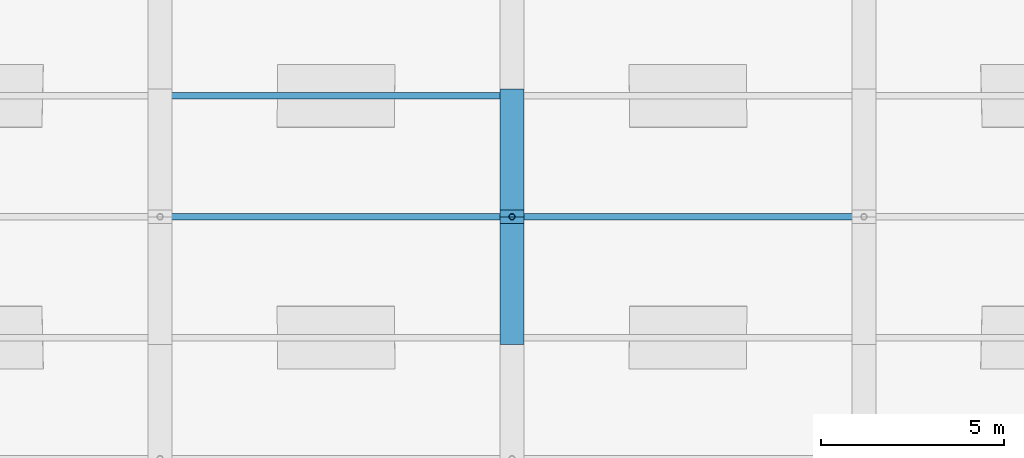
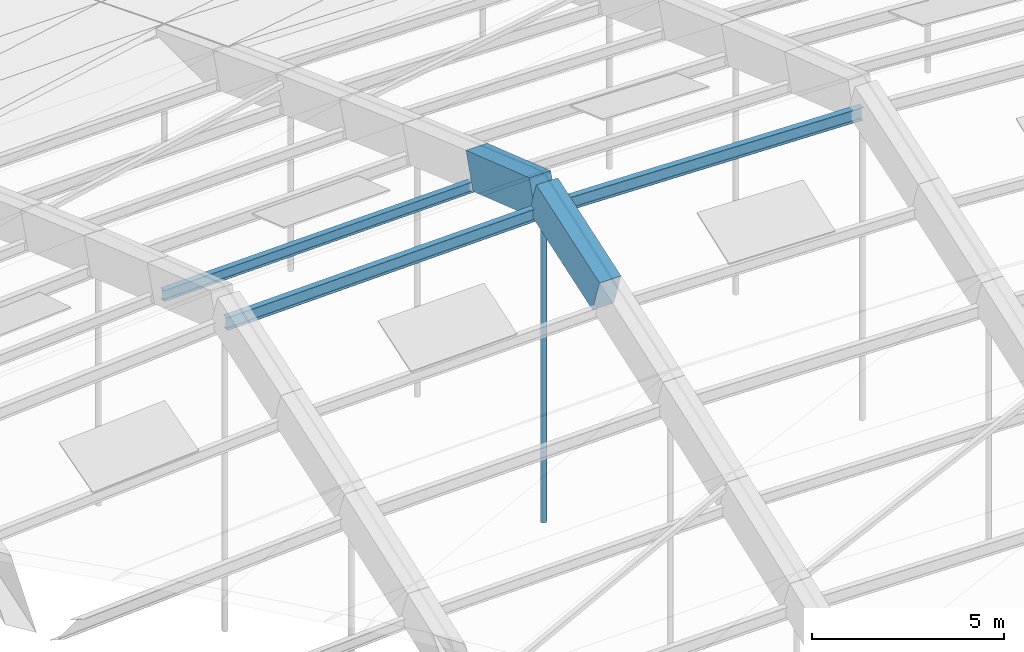
# One storey, part 15 of 43: 4 members, 2 beams.
"""IFC4 building model written with IfcOpenShell, lengths in metres."""

from ifc_helpers import new_model, si_unit, direction, frame, origin, origin_2d, place, context, subcontext, project, spatial, rectangle, hollow_circle, i_section, extrude, material, material_profile, profile_set, type_object, element, save


model = new_model("IFC4")

# Units and contexts
model_context = context("Model", 3, precision=1e-05, world=origin(), true_north=direction((0.0, 1.0)))
body_context = subcontext(model_context, "Body", "Model", "MODEL_VIEW")
ifc_project = project(units=[si_unit("LENGTHUNIT", "METRE"), si_unit("AREAUNIT", "SQUARE_METRE"), si_unit("VOLUMEUNIT", "CUBIC_METRE"), si_unit("PLANEANGLEUNIT", "RADIAN"), si_unit("MASSUNIT", "GRAM", prefix="KILO")], contexts=[model_context])

# Site, building, storey
site_placement = place(None, origin())
site = spatial("IfcSite", under=ifc_project, at=site_placement, CompositionType="ELEMENT")
building_placement = place(site_placement, origin())
building = spatial("IfcBuilding", under=site, at=building_placement, Name="Chalmorin Arch Market", CompositionType="ELEMENT")
storey_placement = place(building_placement, frame((0.0, 0.0, 18.60009765625)))
storey = spatial("IfcBuildingStorey", under=building, at=storey_placement, Name="RF", CompositionType="ELEMENT", Elevation=18.60009765625)

# Member
ifc_material_1 = material(Name="Steel A500 Grade C", Category="steel")
ifc_material_profile_1 = material_profile(ifc_material_1, hollow_circle(Radius=0.084228515625, WallThickness=0.007080078125, at=origin_2d()), Name="CHS168X7")
ifc_profile_set_1 = profile_set([ifc_material_profile_1], Name="Steel A500 Grade C")
member_type_1 = type_object("IfcMemberType", Name="ArchHangerTie-CHS168", PredefinedType="CHORD", material=ifc_profile_set_1)
member_1_placement = place(storey_placement, frame((86.39990234375, 32.39990234375, -2.4501953125), z_axis=(0.0, 0.0, 1.0), x_axis=(1.0, 0.0, 0.0)))
element("IfcMember", 1, at=member_1_placement, inside=storey, type_object=member_type_1, Name="HT-CH168-0159", PredefinedType="CHORD", context=body_context, shape_type="SweptSolid", body=[
    extrude(hollow_circle(Radius=0.084228515625, WallThickness=0.007080078125, at=origin_2d()), origin(), (0.0, 0.0, 1.0), 10.400146484375),
])

# Beams
ifc_material_2 = material(Name="Concrete C50/60", Category="concrete")
ifc_material_profile_2 = material_profile(ifc_material_2, rectangle(XDim=0.64990234375, YDim=1.14990234375, at=origin_2d()), Name="RC650X1150")
ifc_profile_set_2 = profile_set([ifc_material_profile_2], Name="Concrete C50/60")
beam_type = type_object("IfcBeamType", Name="ArchRibChord-650x1150", PredefinedType="BEAM", material=ifc_profile_set_2)
beam_1_placement = place(storey_placement, frame((86.39990234375, 29.10009765625, 6.826416015625), z_axis=(0.0, 0.946632629615, 0.322314542874), x_axis=(-1.0, 0.0, 0.0)))
element("IfcBeam", 2, at=beam_1_placement, inside=storey, type_object=beam_type, Name="AR-01-1668", PredefinedType="BEAM", context=body_context, shape_type="SweptSolid", body=[
    extrude(rectangle(XDim=0.64990234375, YDim=1.14990234375, at=origin_2d()), origin(), (0.0, 0.0, 1.0), 3.48583984375),
])
beam_2_placement = place(storey_placement, frame((86.39990234375, 32.39990234375, 7.949951171875), z_axis=(0.0, 0.946639904898, -0.322293174694), x_axis=(-1.0, 0.0, 0.0)))
element("IfcBeam", 3, at=beam_2_placement, inside=storey, type_object=beam_type, Name="AR-01-1669", PredefinedType="BEAM", context=body_context, shape_type="SweptSolid", body=[
    extrude(rectangle(XDim=0.64990234375, YDim=1.14990234375, at=origin_2d()), origin(), (0.0, 0.0, 1.0), 3.486083984375),
])

# Members
ifc_material_3 = material(Name="Steel A992 Grade 50", Category="steel")
ifc_material_profile_3 = material_profile(ifc_material_3, i_section(OverallWidth=0.1708984375, OverallDepth=0.35107421875, WebThickness=0.0068359375, FlangeThickness=0.009765625, FilletRadius=0.014892578125, at=origin_2d()), Name="W14X30")
ifc_profile_set_3 = profile_set([ifc_material_profile_3], Name="Steel A992 Grade 50")
member_type_2 = type_object("IfcMemberType", Name="RoofSteelPurlin-W14X30", PredefinedType="PURLIN", material=ifc_profile_set_3)
member_2_placement = place(storey_placement, frame((76.820068359375, 35.699951171875, 6.12548828125), z_axis=(0.999733022665, 0.0, 0.023105916835), x_axis=(0.0, 1.0, 0.0)))
element("IfcMember", 4, at=member_2_placement, inside=storey, type_object=member_type_2, Name="PR-W14-0248", PredefinedType="PURLIN", context=body_context, shape_type="SweptSolid", body=[
    extrude(i_section(OverallWidth=0.1708984375, OverallDepth=0.35107421875, WebThickness=0.0068359375, FlangeThickness=0.009765625, FilletRadius=0.014892578125, at=origin_2d()), origin(), (0.0, 0.0, 1.0), 9.562255859375),
])
ifc_material_profile_4 = material_profile(ifc_material_3, i_section(OverallWidth=0.178955078125, OverallDepth=0.409912109375, WebThickness=0.0087890625, FlangeThickness=0.014404296875, FilletRadius=0.01806640625, at=origin_2d()), Name="W16X45")
ifc_profile_set_4 = profile_set([ifc_material_profile_4], Name="Steel A992 Grade 50")
member_type_3 = type_object("IfcMemberType", Name="RoofSteelPurlin-W16X45", PredefinedType="PURLIN", material=ifc_profile_set_4)
member_3_placement = place(storey_placement, frame((76.820068359375, 32.39990234375, 7.23388671875), z_axis=(0.999695206613, 0.0, 0.024687929739), x_axis=(0.0, 1.0, 0.0)))
element("IfcMember", 5, at=member_3_placement, inside=storey, type_object=member_type_3, Name="PR-W16-0247", PredefinedType="PURLIN", context=body_context, shape_type="SweptSolid", body=[
    extrude(i_section(OverallWidth=0.178955078125, OverallDepth=0.409912109375, WebThickness=0.0087890625, FlangeThickness=0.014404296875, FilletRadius=0.01806640625, at=origin_2d()), origin(), (0.0, 0.0, 1.0), 9.562744140625),
])
member_4_placement = place(storey_placement, frame((86.419921875, 32.39990234375, 7.469970703125), z_axis=(0.999695222173, 0.0, -0.024687299654), x_axis=(0.0, 1.0, 0.0)))
element("IfcMember", 6, at=member_4_placement, inside=storey, type_object=member_type_3, Name="PR-W16-0268", PredefinedType="PURLIN", context=body_context, shape_type="SweptSolid", body=[
    extrude(i_section(OverallWidth=0.178955078125, OverallDepth=0.409912109375, WebThickness=0.0087890625, FlangeThickness=0.014404296875, FilletRadius=0.01806640625, at=origin_2d()), origin(), (0.0, 0.0, 1.0), 9.56298828125),
])

save(model, "model.ifc")
